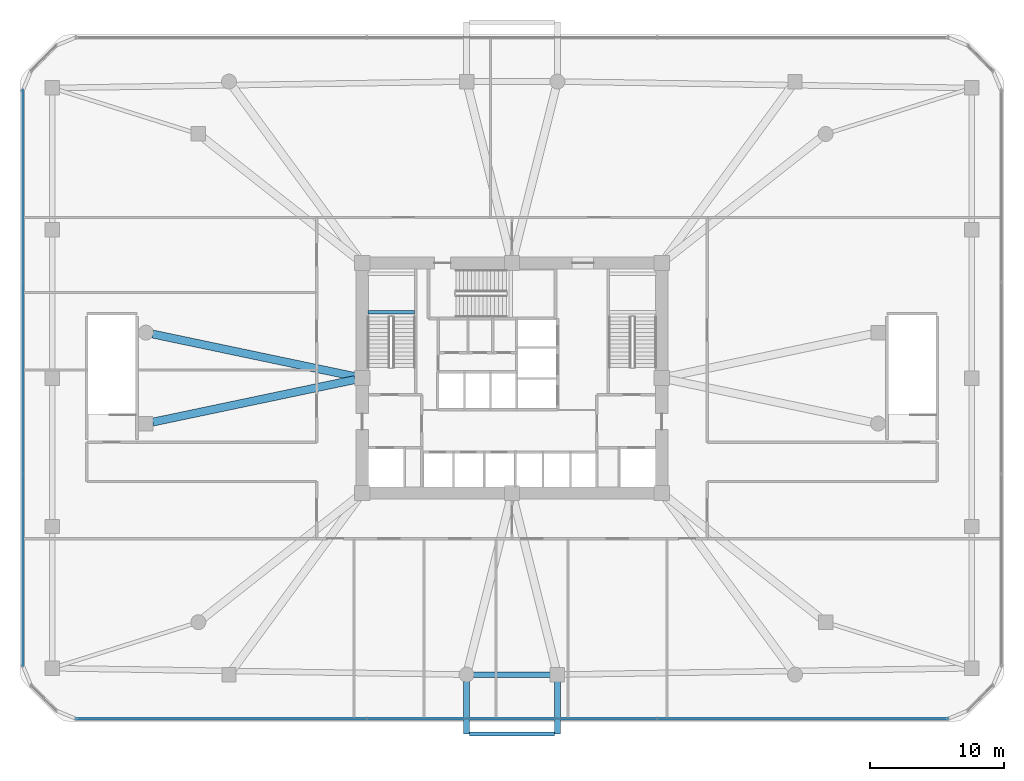
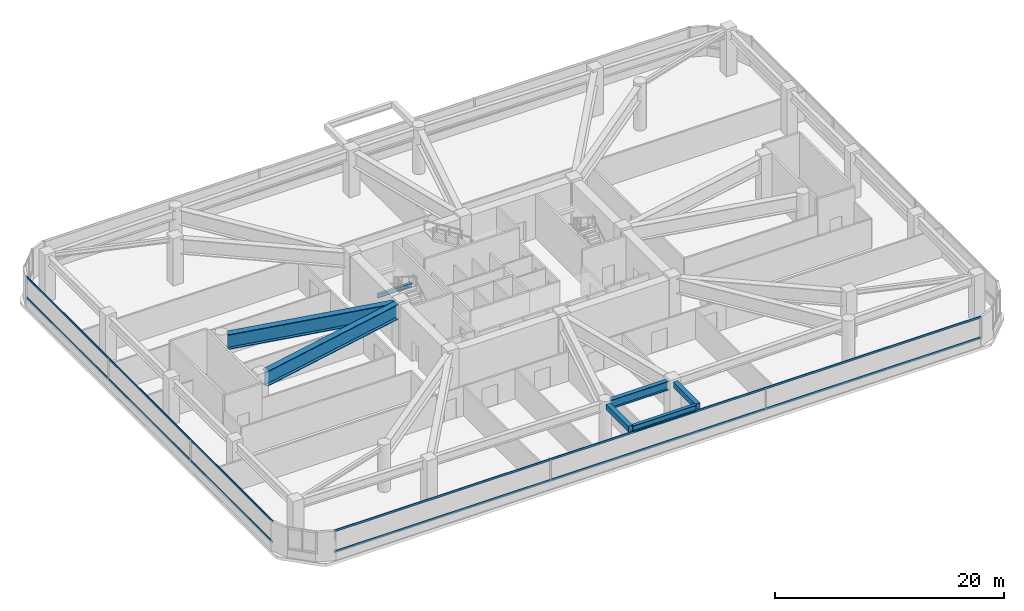
# One storey, part 3 of 21: 7 beams, 4 members, 2 elements without a shape of their own.
"""IFC4 building model written with IfcOpenShell, lengths in metres."""

import ifcopenshell
import ifcopenshell.guid

model = None  # the IFC model being written
_history = None  # IfcOwnerHistory: only IFC2X3 demands one
_inside = {}  # id of a spatial element -> (the spatial element, [elements in it])
_under = {}  # id of a project, library or spatial element -> (it, [spatial elements below it])
_declared = {}  # id of a project -> (the project, [libraries it declares])
_typed = {}  # id of a type object -> (the type object, [elements of that type])
_made_of = {}  # id of a material, layer set ... -> (it, [elements and type objects made of it])


def new_model(schema):
    """Start an empty IFC model of exactly this schema.

    Asked for "IFC4X3", IfcOpenShell would pick the latest addendum, in which some entities
    have other attributes; the version numbers below select the first issue.
    IFC2X3 requires an IfcOwnerHistory on every rooted entity: one is made here for all.
    """
    global model, _history
    if schema == "IFC4X3":
        model = ifcopenshell.file(schema_version=(4, 3, 0, 0))
    else:
        model = ifcopenshell.file(schema=schema)
    _inside.clear()
    _under.clear()
    _declared.clear()
    _typed.clear()
    _made_of.clear()
    _history = None
    if model.schema == "IFC2X3":
        org = make("IfcOrganization", Name="unknown")
        user = make(
            "IfcPersonAndOrganization",
            ThePerson=make("IfcPerson", FamilyName="unknown"),
            TheOrganization=org,
        )
        app = make(
            "IfcApplication",
            ApplicationDeveloper=org,
            Version="unknown",
            ApplicationFullName="unknown",
            ApplicationIdentifier="unknown",
        )
        _history = make(
            "IfcOwnerHistory",
            OwningUser=user,
            OwningApplication=app,
            ChangeAction="ADDED",
            CreationDate=0,
        )
    return model


def make(cls, **values):
    """One entity of the class cls with the attributes given. An attribute that is None is left unset."""
    return model.create_entity(
        cls, **{name: value for name, value in values.items() if value is not None}
    )


def rooted(cls, **values):
    """An entity with a GlobalId (a new one), such as an element, a storey or a relation."""
    return make(cls, GlobalId=ifcopenshell.guid.new(), OwnerHistory=_history, **values)


def si_unit(unit_type, name, prefix=None):
    """IfcSIUnit, for example si_unit("LENGTHUNIT", "METRE", prefix="MILLI")."""
    return make("IfcSIUnit", UnitType=unit_type, Prefix=prefix, Name=name)


def derived_unit(unit_type, elements):
    """IfcDerivedUnit: a product of units, each with its exponent."""
    return make(
        "IfcDerivedUnit",
        Elements=[
            make("IfcDerivedUnitElement", Unit=unit, Exponent=power)
            for unit, power in elements
        ],
        UnitType=unit_type,
    )


def assignment(units):
    """IfcUnitAssignment: the units of a project."""
    return None if units is None else make("IfcUnitAssignment", Units=units)


def point(xyz):
    """IfcCartesianPoint."""
    return None if xyz is None else make("IfcCartesianPoint", Coordinates=xyz)


def direction(xyz):
    """IfcDirection."""
    return None if xyz is None else make("IfcDirection", DirectionRatios=xyz)


def frame(location, z_axis=None, x_axis=None):
    """IfcAxis2Placement3D, a coordinate frame: its origin and axes. An axis left out is left unset."""
    return make(
        "IfcAxis2Placement3D",
        Location=point(location),
        Axis=direction(z_axis),
        RefDirection=direction(x_axis),
    )


def frame_2d(location, x_axis=None):
    """IfcAxis2Placement2D, a coordinate frame in the plane: its origin and x axis."""
    return make(
        "IfcAxis2Placement2D", Location=point(location), RefDirection=direction(x_axis)
    )


def origin():
    """The frame at (0, 0, 0) with its axes left unset."""
    return frame((0.0, 0.0, 0.0))


def origin_2d():
    """The frame at (0, 0) in the plane with its x axis left unset."""
    return frame_2d((0.0, 0.0))


def place(relative_to, where):
    """IfcLocalPlacement: puts the frame where relative to a parent placement (None: the world)."""
    return make(
        "IfcLocalPlacement", PlacementRelTo=relative_to, RelativePlacement=where
    )


def context(
    kind, dimensions, precision=None, world=None, true_north=None, identifier=None
):
    """IfcGeometricRepresentationContext, for example the 3D "Model" context."""
    return make(
        "IfcGeometricRepresentationContext",
        ContextIdentifier=identifier,
        ContextType=kind,
        CoordinateSpaceDimension=dimensions,
        Precision=precision,
        WorldCoordinateSystem=world,
        TrueNorth=true_north,
    )


def subcontext(parent, identifier, kind, view, scale=None):
    """IfcGeometricRepresentationSubContext, for example "Body" below "Model"."""
    return make(
        "IfcGeometricRepresentationSubContext",
        ContextIdentifier=identifier,
        ContextType=kind,
        ParentContext=parent,
        TargetScale=scale,
        TargetView=view,
    )


def project(units=None, contexts=None):
    """IfcProject with its units and contexts."""
    return rooted(
        "IfcProject",
        Name="project",
        RepresentationContexts=contexts,
        UnitsInContext=assignment(units),
    )


def spatial(cls, under=None, at=None, **own):
    """A site, building, storey or space (cls), placed at a placement, below another one or the project."""
    s = rooted(cls, ObjectPlacement=at, **own)
    if under is not None:
        _under.setdefault(under.id(), (under, []))[1].append(s)
    return s


def profile(cls, at=None, kind="AREA", **sizes):
    """A parametric profile (cls). Its sizes go by their IFC names, for example OverallWidth=200.0."""
    return make(cls, ProfileType=kind, Position=at, **sizes)


def rectangle(**sizes):
    """IfcRectangleProfileDef."""
    return profile("IfcRectangleProfileDef", **sizes)


def i_section(**sizes):
    """IfcIShapeProfileDef."""
    return profile("IfcIShapeProfileDef", **sizes)


def extrude(swept, where, along, depth):
    """IfcExtrudedAreaSolid: the profile swept, set in the frame where, extruded along a direction by depth."""
    return make(
        "IfcExtrudedAreaSolid",
        SweptArea=swept,
        Position=where,
        ExtrudedDirection=direction(along),
        Depth=depth,
    )


def shape(context_of_items, identifier, shape_type, items):
    """IfcShapeRepresentation: the items that make up one representation, for example the "Body"."""
    return make(
        "IfcShapeRepresentation",
        ContextOfItems=context_of_items,
        RepresentationIdentifier=identifier,
        RepresentationType=shape_type,
        Items=items,
    )


def material(Name=None, Category=None):
    """IfcMaterial."""
    return make("IfcMaterial", Name=Name, Category=Category)


def material_profile(
    of_material, cross_section, Name=None, Category=None, Priority=None
):
    """IfcMaterialProfile: a cross section and its material."""
    return make(
        "IfcMaterialProfile",
        Name=Name,
        Material=of_material,
        Profile=cross_section,
        Priority=Priority,
        Category=Category,
    )


def profile_set(profiles, Name=None, composite=None):
    """IfcMaterialProfileSet."""
    return make(
        "IfcMaterialProfileSet",
        Name=Name,
        MaterialProfiles=profiles,
        CompositeProfile=composite,
    )


def made_of(thing, what):
    """Note that an element or type object is made of a material, layer set ...; save() writes the relation."""
    if what is not None:
        _made_of.setdefault(what.id(), (what, []))[1].append(thing)
    return thing


def type_object(cls, material=None, **own):
    """A type object (cls), such as IfcWallType, which elements share."""
    return made_of(rooted(cls, **own), material)


def element(
    cls,
    number,
    at=None,
    inside=None,
    cuts=None,
    type_object=None,
    material=None,
    context=None,
    identifier="Body",
    shape_type=None,
    held_by="IfcProductDefinitionShape",
    body=None,
    shapes=None,
    **own,
):
    """One element of the class cls, such as IfcWall. Its Tag is "e" and its number.

    at: its placement. inside: the storey or other place that contains it. cuts: it is an
    opening in that element (IfcRelVoidsElement). A single representation is given by context,
    identifier, shape_type and body (its items); several are given by shapes. held_by: the class
    of the entity that holds the representations. save() writes the other relations.
    """
    e = rooted(cls, Tag="e%d" % number, ObjectPlacement=at, **own)
    if body is not None:
        shapes = [shape(context, identifier, shape_type, body)]
    if shapes is not None:
        e.Representation = make(held_by, Representations=shapes)
    if inside is not None:
        _inside.setdefault(inside.id(), (inside, []))[1].append(e)
    if cuts is not None:
        rooted(
            "IfcRelVoidsElement", RelatingBuildingElement=cuts, RelatedOpeningElement=e
        )
    if type_object is not None:
        _typed.setdefault(type_object.id(), (type_object, []))[1].append(e)
    return made_of(e, material)


def aggregate(whole, parts):
    """IfcRelAggregates: a whole, such as a stair, and the parts it consists of."""
    return rooted("IfcRelAggregates", RelatingObject=whole, RelatedObjects=parts)


def save(model, path):
    """Write the relations noted so far, then the file.

    IfcRelAggregates (storeys below a building ...), IfcRelContainedInSpatialStructure (elements
    in a storey), IfcRelDefinesByType, IfcRelAssociatesMaterial and IfcRelDeclares: one each for
    every whole, place, type object, material and project.
    """
    for whole, parts in _under.values():
        aggregate(whole, parts)
    for where, things in _inside.values():
        rooted(
            "IfcRelContainedInSpatialStructure",
            RelatedElements=things,
            RelatingStructure=where,
        )
    for kind, things in _typed.values():
        rooted("IfcRelDefinesByType", RelatedObjects=things, RelatingType=kind)
    for what, things in _made_of.values():
        rooted("IfcRelAssociatesMaterial", RelatedObjects=things, RelatingMaterial=what)
    for by, libraries in _declared.values():
        rooted("IfcRelDeclares", RelatingContext=by, RelatedDefinitions=libraries)
    model.write(path)


model = new_model("IFC4")

# Units and contexts
model_context = context("Model", 3, precision=1e-05, world=origin(), true_north=direction((0.0, 1.0)))
body_context = subcontext(model_context, "Body", "Model", "MODEL_VIEW")
ifc_project = project(units=[si_unit("LENGTHUNIT", "METRE"), si_unit("AREAUNIT", "SQUARE_METRE"), si_unit("VOLUMEUNIT", "CUBIC_METRE"), si_unit("PLANEANGLEUNIT", "RADIAN"), si_unit("MASSUNIT", "GRAM", prefix="KILO"), derived_unit("THERMALTRANSMITTANCEUNIT", [(si_unit("POWERUNIT", "WATT"), 1), (si_unit("LENGTHUNIT", "METRE"), -2), (si_unit("THERMODYNAMICTEMPERATUREUNIT", "KELVIN"), -1)])], contexts=[model_context])

# Site, building, storey
site_placement = place(None, origin())
site = spatial("IfcSite", under=ifc_project, at=site_placement, CompositionType="ELEMENT")
building_placement = place(site_placement, origin())
building = spatial("IfcBuilding", under=site, at=building_placement, Name="Koralith Skygarden Medical Center", CompositionType="ELEMENT")
storey_placement = place(building_placement, frame((0.0, 0.0, 18.89990234375)))
storey = spatial("IfcBuildingStorey", under=building, at=storey_placement, Name="L04", CompositionType="ELEMENT", Elevation=18.89990234375)

# Curtain wall, members
ifc_material_1 = material(Name="Clear Laminated Glass", Category="glass")
curtain_wall_type = type_object("IfcCurtainWallType", Name="CW-1 Transit & Podium Acoustic Curtain Wall", PredefinedType="NOTDEFINED", material=ifc_material_1)
curtain_wall_1_placement = place(storey_placement, origin())
curtain_wall_1 = element("IfcCurtainWall", 1, at=curtain_wall_1_placement, inside=storey, type_object=curtain_wall_type, Name="Curtain Wall CW-L04-S", PredefinedType="NOTDEFINED")
ifc_material_2 = material(Name="Aluminium 6063-T6", Category="aluminium")
ifc_material_profile_1 = material_profile(ifc_material_2, rectangle(XDim=0.06298828125, YDim=0.216064453125, at=origin_2d()), Name="TRN63X216")
ifc_profile_set_1 = profile_set([ifc_material_profile_1], Name="Aluminium 6063-T6")
member_type = type_object("IfcMemberType", Name="CW-1 Thermal Transom 63x216", PredefinedType="USERDEFINED", material=ifc_profile_set_1)
member_1_placement = place(storey_placement, frame((4.37890625, 0.419921875, 0.900146484375), z_axis=(1.0, 0.0, 0.0), x_axis=(0.0, 1.0, 0.0)))
member_1 = element("IfcMember", 2, at=member_1_placement, type_object=member_type, Name="CW-L04-S Transom 1", ObjectType="TRANSOM", PredefinedType="USERDEFINED", context=body_context, shape_type="SweptSolid", body=[
    extrude(rectangle(XDim=0.06298828125, YDim=0.216064453125, at=origin_2d()), origin(), (0.0, 0.0, 1.0), 65.2421875),
])
member_2_placement = place(storey_placement, frame((4.37890625, 0.419921875, 3.10009765625), z_axis=(1.0, 0.0, 0.0), x_axis=(0.0, 1.0, 0.0)))
member_2 = element("IfcMember", 3, at=member_2_placement, type_object=member_type, Name="CW-L04-S Transom 2", ObjectType="TRANSOM", PredefinedType="USERDEFINED", context=body_context, shape_type="SweptSolid", body=[
    extrude(rectangle(XDim=0.06298828125, YDim=0.216064453125, at=origin_2d()), origin(), (0.0, 0.0, 1.0), 65.2421875),
])
aggregate(curtain_wall_1, [member_1, member_2])

curtain_wall_2_placement = place(storey_placement, origin())
curtain_wall_2 = element("IfcCurtainWall", 4, at=curtain_wall_2_placement, inside=storey, type_object=curtain_wall_type, Name="Curtain Wall CW-L04-W", PredefinedType="NOTDEFINED")
member_3_placement = place(storey_placement, frame((0.419921875, 47.4208984375, 0.900146484375), z_axis=(0.0, -1.0, 0.0), x_axis=(1.0, 0.0, 0.0)))
member_3 = element("IfcMember", 5, at=member_3_placement, type_object=member_type, Name="CW-L04-W Transom 1", ObjectType="TRANSOM", PredefinedType="USERDEFINED", context=body_context, shape_type="SweptSolid", body=[
    extrude(rectangle(XDim=0.06298828125, YDim=0.216064453125, at=origin_2d()), origin(), (0.0, 0.0, 1.0), 43.0419921875),
])
member_4_placement = place(storey_placement, frame((0.419921875, 47.4208984375, 3.10009765625), z_axis=(0.0, -1.0, 0.0), x_axis=(1.0, 0.0, 0.0)))
member_4 = element("IfcMember", 6, at=member_4_placement, type_object=member_type, Name="CW-L04-W Transom 2", ObjectType="TRANSOM", PredefinedType="USERDEFINED", context=body_context, shape_type="SweptSolid", body=[
    extrude(rectangle(XDim=0.06298828125, YDim=0.216064453125, at=origin_2d()), origin(), (0.0, 0.0, 1.0), 43.0419921875),
])
aggregate(curtain_wall_2, [member_3, member_4])

# Beams
ifc_material_3 = material(Name="Steel ASTM A992 Grade 50", Category="steel")
ifc_material_profile_2 = material_profile(ifc_material_3, i_section(OverallWidth=0.326904296875, OverallDepth=0.6220703125, WebThickness=0.015380859375, FlangeThickness=0.0244140625, at=origin_2d()), Name="W24X131")
ifc_profile_set_2 = profile_set([ifc_material_profile_2], Name="Steel ASTM A992 Grade 50")
beam_type_1 = type_object("IfcBeamType", Name="Cantilever Tie Beam W24X131", PredefinedType="BEAM", material=ifc_profile_set_2)
beam_1_placement = place(storey_placement, frame((33.820068359375, -0.719970703125, 4.468994140625), z_axis=(1.0, 0.0, 0.0), x_axis=(0.0, 1.0, 0.0)))
element("IfcBeam", 7, at=beam_1_placement, inside=storey, type_object=beam_type_1, Name="L05 S Balcony Tip Tie Beam", PredefinedType="BEAM", context=body_context, shape_type="SweptSolid", body=[
    extrude(i_section(OverallWidth=0.326904296875, OverallDepth=0.6220703125, WebThickness=0.015380859375, FlangeThickness=0.0244140625, at=origin_2d()), origin(), (0.0, 0.0, 1.0), 6.35986328125),
])
ifc_material_profile_3 = material_profile(ifc_material_3, i_section(OverallWidth=0.260009765625, OverallDepth=0.4150390625, WebThickness=0.010009765625, FlangeThickness=0.016845703125, at=origin_2d()), Name="W16X67")
ifc_profile_set_3 = profile_set([ifc_material_profile_3], Name="Steel ASTM A992 Grade 50")
beam_type_2 = type_object("IfcBeamType", Name="Clinical Floor Joist W16X67", PredefinedType="JOIST", material=ifc_profile_set_3)
beam_2_placement = place(storey_placement, frame((26.22998046875, 30.820068359375, 2.113037109375), z_axis=(1.0, 0.0, 0.0), x_axis=(0.0, 1.0, 0.0)))
element("IfcBeam", 8, at=beam_2_placement, inside=storey, type_object=beam_type_2, Name="L04 Stair ST1 Half-Landing Support Beam 1A", PredefinedType="JOIST", context=body_context, shape_type="SweptSolid", body=[
    extrude(i_section(OverallWidth=0.260009765625, OverallDepth=0.4150390625, WebThickness=0.010009765625, FlangeThickness=0.016845703125, at=origin_2d()), origin(), (0.0, 0.0, 1.0), 3.489990234375),
])
ifc_material_4 = material(Name="Concrete C45/55", Category="concrete")
ifc_material_profile_4 = material_profile(ifc_material_4, rectangle(XDim=0.449951171875, YDim=0.60009765625, at=origin_2d()), Name="RCB450X600")
ifc_profile_set_4 = profile_set([ifc_material_profile_4], Name="Concrete C45/55")
beam_type_3 = type_object("IfcBeamType", Name="Planted Balcony Cantilever Beam RCB450X600", PredefinedType="BEAM", material=ifc_profile_set_4)
for number, where, z_axis, x_axis, name in (
    (9, (33.60009765625, 3.199951171875, 4.47998046875), (0.0, -1.0, 0.0), (1.0, 0.0, 0.0), "L05 S Balcony Cantilever Beam A"),
    (10, (40.39990234375, 3.199951171875, 4.47998046875), (0.0, -1.0, 0.0), (1.0, 0.0, 0.0), "L05 S Balcony Cantilever Beam B"),
):
    element("IfcBeam", number, at=place(storey_placement, frame(where, z_axis=z_axis, x_axis=x_axis)), inside=storey, type_object=beam_type_3, Name=name, PredefinedType="BEAM", context=body_context, shape_type="SweptSolid", body=[
        extrude(rectangle(XDim=0.449951171875, YDim=0.60009765625, at=origin_2d()), origin(), (0.0, 0.0, 1.0), 3.919921875),
    ])
ifc_material_profile_5 = material_profile(ifc_material_3, i_section(OverallWidth=0.423095703125, OverallDepth=0.947998046875, WebThickness=0.02392578125, FlangeThickness=0.042724609375, at=origin_2d()), Name="W36X302")
ifc_profile_set_5 = profile_set([ifc_material_profile_5], Name="Steel ASTM A992 Grade 50")
beam_type_4 = type_object("IfcBeamType", Name="Podium Concourse Girder W36X302", PredefinedType="BEAM", material=ifc_profile_set_5)
beam_3_placement = place(storey_placement, frame((34.1201171875, 3.719970703125, 4.2861328125), z_axis=(1.0, 0.0, 0.0), x_axis=(0.0, 1.0, 0.0)))
element("IfcBeam", 11, at=beam_3_placement, inside=storey, type_object=beam_type_4, Name="L04 Podium Perimeter Beam PB-03", PredefinedType="BEAM", context=body_context, shape_type="SweptSolid", body=[
    extrude(i_section(OverallWidth=0.423095703125, OverallDepth=0.947998046875, WebThickness=0.02392578125, FlangeThickness=0.042724609375, at=origin_2d()), origin(), (0.0, 0.0, 1.0), 5.759765625),
])
ifc_material_profile_6 = material_profile(ifc_material_3, i_section(OverallWidth=0.60009765625, OverallDepth=1.60009765625, WebThickness=0.031982421875, FlangeThickness=0.06005859375, at=origin_2d()), Name="BG1600X600X60X32")
ifc_profile_set_6 = profile_set([ifc_material_profile_6], Name="Steel ASTM A992 Grade 50")
beam_type_5 = type_object("IfcBeamType", Name="Podium Transfer Girder BG1600", PredefinedType="USERDEFINED", material=ifc_profile_set_6)
for number, where, z_axis, x_axis, name in (
    (12, (25.251953125, 25.784912109375, 3.960205078125), (-0.978625652149, -0.205649782288, 0.0), (0.205649782288, -0.978625652149, 0.0), "L04 Podium Radial Girder PRG-01"),
    (13, (25.251953125, 26.014892578125, 3.960205078125), (-0.978622472518, 0.205664912619, 0.0), (-0.205664912619, -0.978622472518, 0.0), "L04 Podium Radial Girder PRG-16"),
):
    element("IfcBeam", number, at=place(storey_placement, frame(where, z_axis=z_axis, x_axis=x_axis)), inside=storey, type_object=beam_type_5, Name=name, ObjectType="TRANSFER GIRDER", PredefinedType="USERDEFINED", context=body_context, shape_type="SweptSolid", body=[
        extrude(i_section(OverallWidth=0.60009765625, OverallDepth=1.60009765625, WebThickness=0.031982421875, FlangeThickness=0.06005859375, at=origin_2d()), origin(), (0.0, 0.0, 1.0), 15.453369140625),
    ])

save(model, "model.ifc")
